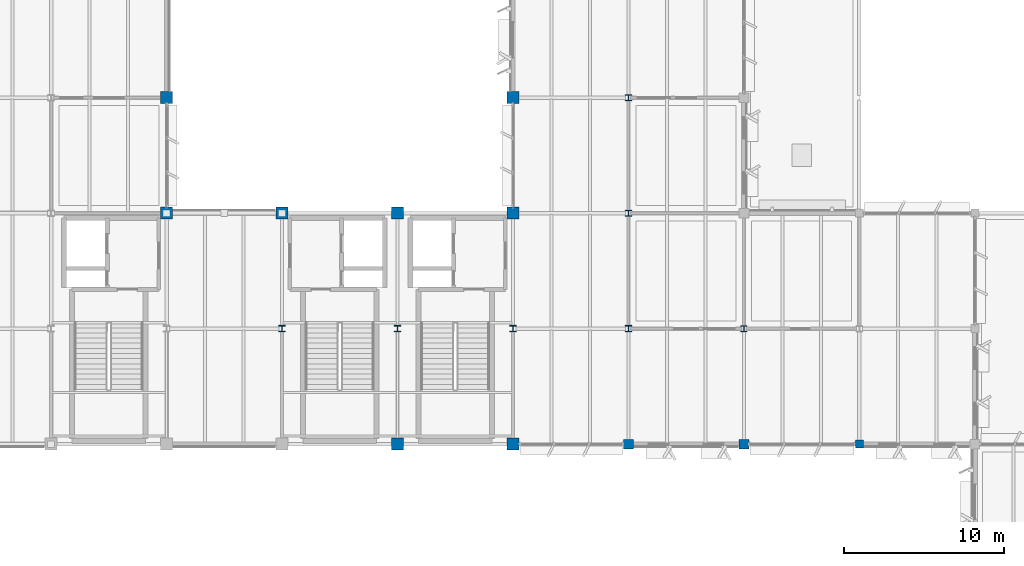
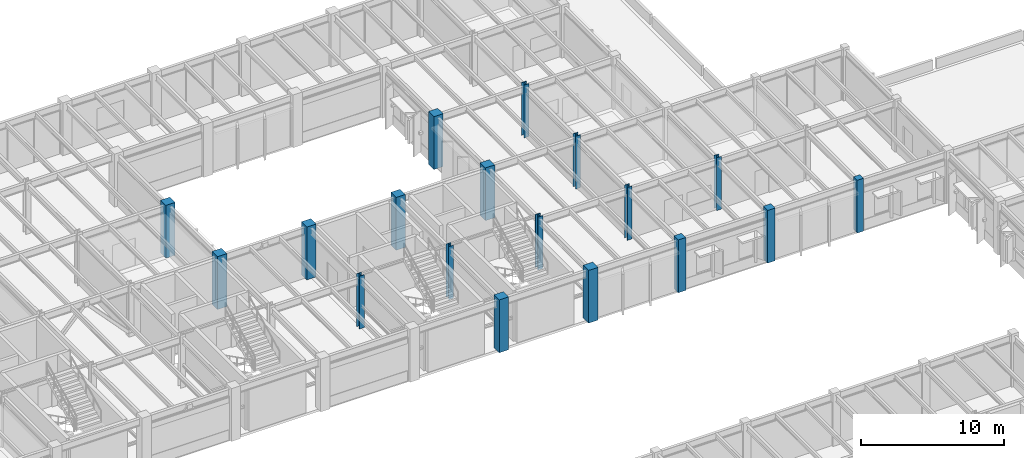
# One storey, part 11 of 92: 18 columns.
"""IFC4 building model written with IfcOpenShell, lengths in metres."""

from ifc_helpers import new_model, si_unit, direction, frame, origin, origin_2d, place, context, subcontext, project, spatial, rectangle, i_section, extrude, material, material_profile, profile_set, type_object, element, save


model = new_model("IFC4")

# Units and contexts
model_context = context("Model", 3, precision=1e-05, world=origin(), true_north=direction((0.0, 1.0)))
body_context = subcontext(model_context, "Body", "Model", "MODEL_VIEW")
ifc_project = project(units=[si_unit("LENGTHUNIT", "METRE"), si_unit("AREAUNIT", "SQUARE_METRE"), si_unit("VOLUMEUNIT", "CUBIC_METRE"), si_unit("PLANEANGLEUNIT", "RADIAN"), si_unit("MASSUNIT", "GRAM", prefix="KILO")], contexts=[model_context])

# Site, building, storey
site_placement = place(None, origin())
site = spatial("IfcSite", under=ifc_project, at=site_placement, CompositionType="ELEMENT")
building_placement = place(site_placement, origin())
building = spatial("IfcBuilding", under=site, at=building_placement, Name="Sillqori Civic Hall", CompositionType="ELEMENT")
storey_placement = place(building_placement, frame((0.0, 0.0, 5.39990234375)))
storey = spatial("IfcBuildingStorey", under=building, at=storey_placement, Name="L02", CompositionType="ELEMENT", Elevation=5.39990234375)

# Columns
ifc_material_1 = material(Name="Concrete C35/45 (H35)", Category="concrete")
ifc_material_profile_1 = material_profile(ifc_material_1, rectangle(XDim=0.5, YDim=0.5, at=origin_2d()), Name="RC 500x500")
ifc_profile_set_1 = profile_set([ifc_material_profile_1], Name="Concrete C35/45 (H35)")
column_type_1 = type_object("IfcColumnType", Name="COL-RC500", PredefinedType="COLUMN", material=ifc_profile_set_1)
column_1_placement = place(storey_placement, frame((115.199951171875, 79.199951171875, 0.0), z_axis=(0.0, 0.0, 1.0), x_axis=(1.0, 0.0, 0.0)))
element("IfcColumn", 1, at=column_1_placement, inside=storey, type_object=column_type_1, Name="L02 column 16-11", PredefinedType="COLUMN", context=body_context, shape_type="SweptSolid", body=[
    extrude(rectangle(XDim=0.5, YDim=0.5, at=origin_2d()), origin(), (0.0, 0.0, 1.0), 4.5),
])
ifc_material_profile_2 = material_profile(ifc_material_1, rectangle(XDim=0.60009765625, YDim=0.60009765625, at=origin_2d()), Name="RC 600x600")
ifc_profile_set_2 = profile_set([ifc_material_profile_2], Name="Concrete C35/45 (H35)")
column_type_2 = type_object("IfcColumnType", Name="COL-RC600", PredefinedType="COLUMN", material=ifc_profile_set_2)
for number, where, z_axis, x_axis, name in (
    (2, (100.800048828125, 79.199951171875, 0.0), (0.0, 0.0, 1.0), (1.0, 0.0, 0.0), "L02 column 14-11"),
    (3, (108.0, 79.199951171875, 0.0), (0.0, 0.0, 1.0), (1.0, 0.0, 0.0), "L02 column 15-11"),
):
    element("IfcColumn", number, at=place(storey_placement, frame(where, z_axis=z_axis, x_axis=x_axis)), inside=storey, type_object=column_type_2, Name=name, PredefinedType="COLUMN", context=body_context, shape_type="SweptSolid", body=[
        extrude(rectangle(XDim=0.60009765625, YDim=0.60009765625, at=origin_2d()), origin(), (0.0, 0.0, 1.0), 4.5),
    ])
ifc_material_profile_3 = material_profile(ifc_material_1, rectangle(XDim=0.75, YDim=0.75, at=origin_2d()), Name="RC 750x750")
ifc_profile_set_3 = profile_set([ifc_material_profile_3], Name="Concrete C35/45 (H35)")
column_type_3 = type_object("IfcColumnType", Name="COL-RC750", PredefinedType="COLUMN", material=ifc_profile_set_3)
for number, where, z_axis, x_axis, name in (
    (4, (72.0, 93.60009765625, 0.0), (0.0, 0.0, 1.0), (1.0, 0.0, 0.0), "L02 column 10-13"),
    (5, (72.0, 100.800048828125, 0.0), (0.0, 0.0, 1.0), (1.0, 0.0, 0.0), "L02 column 10-14"),
    (6, (79.199951171875, 93.60009765625, 0.0), (0.0, 0.0, 1.0), (1.0, 0.0, 0.0), "L02 column 11-13"),
    (7, (86.39990234375, 79.199951171875, 0.0), (0.0, 0.0, 1.0), (1.0, 0.0, 0.0), "L02 column 12-11"),
    (8, (86.39990234375, 93.60009765625, 0.0), (0.0, 0.0, 1.0), (1.0, 0.0, 0.0), "L02 column 12-13"),
    (9, (93.60009765625, 79.199951171875, 0.0), (0.0, 0.0, 1.0), (1.0, 0.0, 0.0), "L02 column 13-11"),
    (10, (93.60009765625, 93.60009765625, 0.0), (0.0, 0.0, 1.0), (1.0, 0.0, 0.0), "L02 column 13-13"),
    (11, (93.60009765625, 100.800048828125, 0.0), (0.0, 0.0, 1.0), (1.0, 0.0, 0.0), "L02 column 13-14"),
):
    element("IfcColumn", number, at=place(storey_placement, frame(where, z_axis=z_axis, x_axis=x_axis)), inside=storey, type_object=column_type_3, Name=name, PredefinedType="COLUMN", context=body_context, shape_type="SweptSolid", body=[
        extrude(rectangle(XDim=0.75, YDim=0.75, at=origin_2d()), origin(), (0.0, 0.0, 1.0), 4.5),
    ])
ifc_material_2 = material(Name="Steel ASTM A992", Category="steel")
ifc_material_profile_4 = material_profile(ifc_material_2, i_section(OverallWidth=0.373046875, OverallDepth=0.367919921875, WebThickness=0.014892578125, FlangeThickness=0.02392578125, FilletRadius=0.014892578125, at=origin_2d()), Name="W14X120")
ifc_profile_set_4 = profile_set([ifc_material_profile_4], Name="Steel ASTM A992")
column_type_4 = type_object("IfcColumnType", Name="COL-W14X120", PredefinedType="COLUMN", material=ifc_profile_set_4)
column_2_placement = place(storey_placement, frame((108.0, 86.39990234375, 0.0), z_axis=(0.0, 0.0, 1.0), x_axis=(1.0, 0.0, 0.0)))
element("IfcColumn", 12, at=column_2_placement, inside=storey, type_object=column_type_4, Name="L02 column 15-12", PredefinedType="COLUMN", context=body_context, shape_type="SweptSolid", body=[
    extrude(i_section(OverallWidth=0.373046875, OverallDepth=0.367919921875, WebThickness=0.014892578125, FlangeThickness=0.02392578125, FilletRadius=0.014892578125, at=origin_2d()), origin(), (0.0, 0.0, 1.0), 4.5),
])
ifc_material_profile_5 = material_profile(ifc_material_2, i_section(OverallWidth=0.39892578125, OverallDepth=0.39404296875, WebThickness=0.022705078125, FlangeThickness=0.03662109375, FilletRadius=0.014892578125, at=origin_2d()), Name="W14X193")
ifc_profile_set_5 = profile_set([ifc_material_profile_5], Name="Steel ASTM A992")
column_type_5 = type_object("IfcColumnType", Name="COL-W14X193", PredefinedType="COLUMN", material=ifc_profile_set_5)
for number, where, z_axis, x_axis, name in (
    (13, (79.199951171875, 86.39990234375, 0.0), (0.0, 0.0, 1.0), (1.0, 0.0, 0.0), "L02 column 11-12"),
    (14, (86.39990234375, 86.39990234375, 0.0), (0.0, 0.0, 1.0), (1.0, 0.0, 0.0), "L02 column 12-12"),
    (15, (93.60009765625, 86.39990234375, 0.0), (0.0, 0.0, 1.0), (1.0, 0.0, 0.0), "L02 column 13-12"),
    (16, (100.800048828125, 86.39990234375, 0.0), (0.0, 0.0, 1.0), (1.0, 0.0, 0.0), "L02 column 14-12"),
    (17, (100.800048828125, 93.60009765625, 0.0), (0.0, 0.0, 1.0), (1.0, 0.0, 0.0), "L02 column 14-13"),
    (18, (100.800048828125, 100.800048828125, 0.0), (0.0, 0.0, 1.0), (1.0, 0.0, 0.0), "L02 column 14-14"),
):
    element("IfcColumn", number, at=place(storey_placement, frame(where, z_axis=z_axis, x_axis=x_axis)), inside=storey, type_object=column_type_5, Name=name, PredefinedType="COLUMN", context=body_context, shape_type="SweptSolid", body=[
        extrude(i_section(OverallWidth=0.39892578125, OverallDepth=0.39404296875, WebThickness=0.022705078125, FlangeThickness=0.03662109375, FilletRadius=0.014892578125, at=origin_2d()), origin(), (0.0, 0.0, 1.0), 4.5),
    ])

save(model, "model.ifc")
